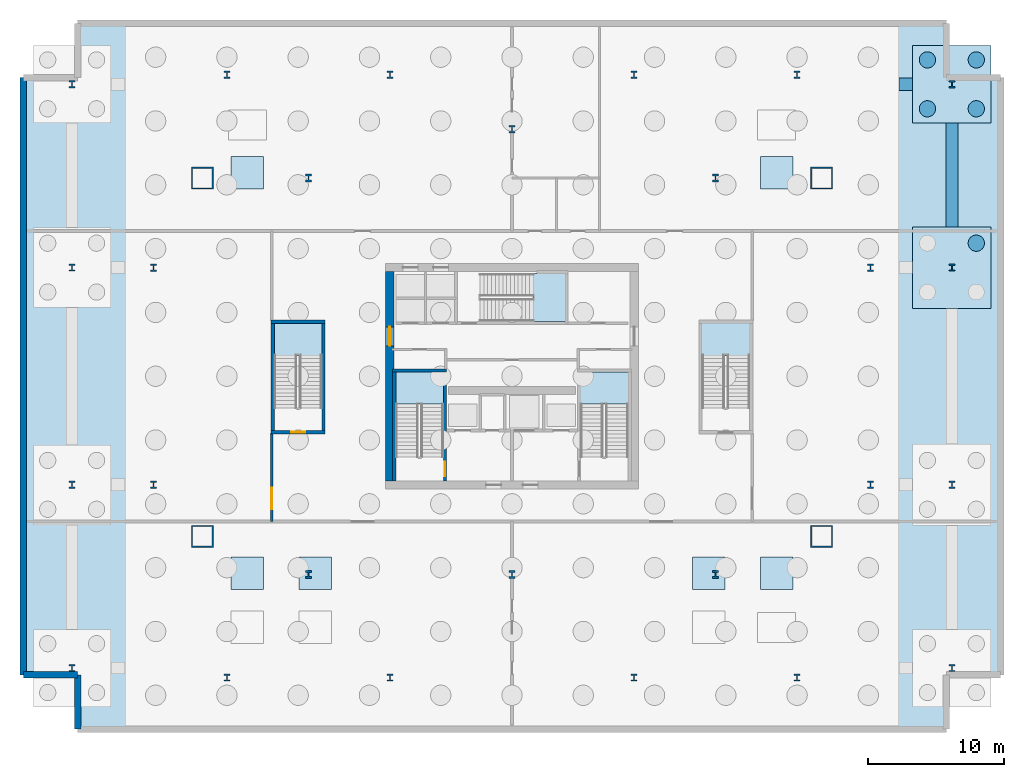
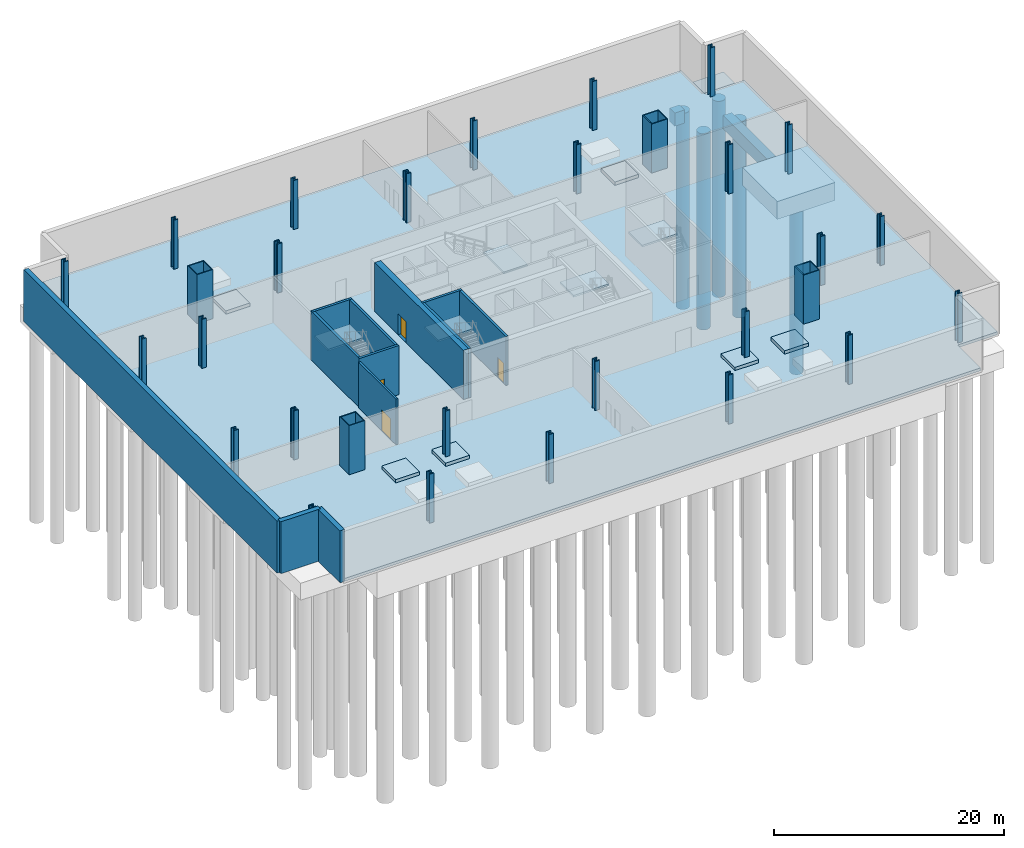
# One storey, part 2 of 8: 30 columns, 12 slabs, 12 walls, 5 piles, 4 doors, 4 footings, 4 openings, 5 elements without a shape of their own.
"""IFC4 building model written with IfcOpenShell, lengths in metres."""

from ifc_helpers import new_model, si_unit, direction, frame, frame_2d, origin, origin_2d, place, context, subcontext, project, spatial, polyline, rectangle, hollow_rectangle, circle, i_section, outline, extrude, material, layer, layer_set, material_profile, profile_set, type_object, element, fill, aggregate, save


model = new_model("IFC4")

# Units and contexts
model_context = context("Model", 3, precision=1e-05, world=origin(), true_north=direction((0.0, 1.0)))
body_context = subcontext(model_context, "Body", "Model", "MODEL_VIEW")
ifc_project = project(units=[si_unit("LENGTHUNIT", "METRE"), si_unit("AREAUNIT", "SQUARE_METRE"), si_unit("VOLUMEUNIT", "CUBIC_METRE"), si_unit("PLANEANGLEUNIT", "RADIAN"), si_unit("MASSUNIT", "GRAM", prefix="KILO")], contexts=[model_context])

# Site, building, storey
site_placement = place(None, origin())
site = spatial("IfcSite", under=ifc_project, at=site_placement, CompositionType="ELEMENT")
building_placement = place(site_placement, origin())
building = spatial("IfcBuilding", under=site, at=building_placement, Name="Haldenkirk Collegiate Tower", CompositionType="ELEMENT")
storey_placement = place(building_placement, frame((0.0, 0.0, -5.199951171875)))
storey = spatial("IfcBuildingStorey", under=building, at=storey_placement, Name="B1", CompositionType="ELEMENT", Elevation=-5.199951171875)

# Footings
ifc_material_1 = material(Name="Concrete f'c 55 MPa", Category="concrete")
ifc_material_profile_1 = material_profile(ifc_material_1, rectangle(XDim=0.89990234375, YDim=1.39990234375, at=origin_2d()), Name="RCGB900X1400")
ifc_profile_set_1 = profile_set([ifc_material_profile_1], Name="Concrete f'c 55 MPa")
footing_type_1 = type_object("IfcFootingType", Name="FTG-GB-900X1400", PredefinedType="FOOTING_BEAM", material=ifc_profile_set_1)
footing_1_placement = place(storey_placement, frame((64.5, 47.5, -1.0), z_axis=(1.0, 0.0, 0.0), x_axis=(0.0, 1.0, 0.0)))
element("IfcFooting", 1, at=footing_1_placement, inside=storey, type_object=footing_type_1, Name="Foundation ground tie beam EW-08", PredefinedType="FOOTING_BEAM", context=body_context, shape_type="SweptSolid", body=[
    extrude(rectangle(XDim=0.89990234375, YDim=1.39990234375, at=origin_2d()), origin(), (0.0, 0.0, 1.0), 1.0),
])
footing_2_placement = place(storey_placement, frame((68.39990234375, 37.0, -1.0), z_axis=(0.0, 1.0, 0.0), x_axis=(-1.0, 0.0, 0.0)))
element("IfcFooting", 2, at=footing_2_placement, inside=storey, type_object=footing_type_1, Name="Foundation ground tie beam NS-14", PredefinedType="FOOTING_BEAM", context=body_context, shape_type="SweptSolid", body=[
    extrude(rectangle(XDim=0.89990234375, YDim=1.39990234375, at=origin_2d()), origin(), (0.0, 0.0, 1.0), 7.64990234375),
])
footing_type_2 = type_object("IfcFootingType", Name="FTG-PC3-5800X5700", PredefinedType="PILE_CAP", material=ifc_material_1)
footing_3_placement = place(storey_placement, frame((0.0, 0.0, -2.150146484375)))
element("IfcFooting", 3, at=footing_3_placement, inside=storey, type_object=footing_type_2, Name="Podium perimeter pile cap PCAP-E4", PredefinedType="PILE_CAP", context=body_context, shape_type="SweptSolid", body=[
    extrude(outline(polyline([(65.5, 44.64990234375), (71.300048828125, 44.64990234375), (71.300048828125, 50.35009765625), (65.5, 50.35009765625), (65.5, 44.64990234375)])), origin(), (0.0, 0.0, 1.0), 1.85009765625),
])
footing_type_3 = type_object("IfcFootingType", Name="FTG-PC4-5800X6000", PredefinedType="PILE_CAP", material=ifc_material_1)
footing_4_placement = place(storey_placement, frame((0.0, 0.0, -2.199951171875)))
element("IfcFooting", 4, at=footing_4_placement, inside=storey, type_object=footing_type_3, Name="Podium perimeter pile cap PCAP-E3", PredefinedType="PILE_CAP", context=body_context, shape_type="SweptSolid", body=[
    extrude(outline(polyline([(65.5, 31.0), (71.300048828125, 31.0), (71.300048828125, 37.0), (65.5, 37.0), (65.5, 31.0)])), origin(), (0.0, 0.0, 1.0), 1.89990234375),
])

# Piles
ifc_material_profile_2 = material_profile(ifc_material_1, circle(Radius=0.60009765625, at=origin_2d()), Name="PILE1200")
ifc_profile_set_2 = profile_set([ifc_material_profile_2], Name="Concrete f'c 55 MPa")
pile_type = type_object("IfcPileType", Name="PILE-BORED-1200", PredefinedType="BORED", material=ifc_profile_set_2)
pile_placement = place(storey_placement, frame((70.199951171875, 35.800048828125, -2.050048828125), z_axis=(0.0, 0.0, -1.0), x_axis=(1.0, 0.0, 0.0)))
element("IfcPile", 5, at=pile_placement, inside=storey, type_object=pile_type, Name="Podium cap bored pile 028", PredefinedType="BORED", context=body_context, shape_type="SweptSolid", body=[
    extrude(circle(Radius=0.60009765625, at=origin_2d()), origin(), (0.0, 0.0, 1.0), 20.75),
])
for number, where, z_axis, x_axis, name in (
    (6, (66.60009765625, 45.699951171875, -2.0), (0.0, 0.0, -1.0), (1.0, 0.0, 0.0), "Podium cap bored pile 029"),
    (7, (66.60009765625, 49.300048828125, -2.0), (0.0, 0.0, -1.0), (1.0, 0.0, 0.0), "Podium cap bored pile 030"),
    (8, (70.199951171875, 45.699951171875, -2.0), (0.0, 0.0, -1.0), (1.0, 0.0, 0.0), "Podium cap bored pile 031"),
    (9, (70.199951171875, 49.300048828125, -2.0), (0.0, 0.0, -1.0), (1.0, 0.0, 0.0), "Podium cap bored pile 032"),
):
    element("IfcPile", number, at=place(storey_placement, frame(where, z_axis=z_axis, x_axis=x_axis)), inside=storey, type_object=pile_type, Name=name, PredefinedType="BORED", context=body_context, shape_type="SweptSolid", body=[
        extrude(circle(Radius=0.60009765625, at=origin_2d()), origin(), (0.0, 0.0, 1.0), 20.800048828125),
    ])

# Columns
ifc_material_2 = material(Name="Steel ASTM A913 Grade 65", Category="steel")
ifc_material_profile_3 = material_profile(ifc_material_2, i_section(OverallWidth=0.44189453125, OverallDepth=0.531005859375, WebThickness=0.06591796875, FlangeThickness=0.105712890625, at=origin_2d()), Name="W14X605")
ifc_profile_set_3 = profile_set([ifc_material_profile_3], Name="Steel ASTM A913 Grade 65")
column_type_1 = type_object("IfcColumnType", Name="COL-INT-W14X605", PredefinedType="COLUMN", material=ifc_profile_set_3)
for number, where, z_axis, x_axis, name in (
    (10, (3.60009765625, 18.0, -0.300048828125), (0.0, 0.0, 1.0), (1.0, 0.0, 0.0), "B1 podium perimeter pilaster POC-W1"),
    (11, (3.60009765625, 34.0, -0.300048828125), (0.0, 0.0, 1.0), (1.0, 0.0, 0.0), "B1 podium perimeter pilaster POC-W2"),
    (12, (3.60009765625, 4.5, -0.300048828125), (0.0, 0.0, 1.0), (1.0, 0.0, 0.0), "B1 podium perimeter pilaster POC-W3"),
    (13, (3.60009765625, 47.5, -0.300048828125), (0.0, 0.0, 1.0), (1.0, 0.0, 0.0), "B1 podium perimeter pilaster POC-W4"),
    (14, (68.39990234375, 18.0, -0.300048828125), (0.0, 0.0, 1.0), (1.0, 0.0, 0.0), "B1 podium perimeter pilaster POC-E1"),
    (15, (68.39990234375, 34.0, -0.300048828125), (0.0, 0.0, 1.0), (1.0, 0.0, 0.0), "B1 podium perimeter pilaster POC-E2"),
    (16, (68.39990234375, 4.5, -0.300048828125), (0.0, 0.0, 1.0), (1.0, 0.0, 0.0), "B1 podium perimeter pilaster POC-E3"),
    (17, (68.39990234375, 47.5, -0.300048828125), (0.0, 0.0, 1.0), (1.0, 0.0, 0.0), "B1 podium perimeter pilaster POC-E4"),
    (18, (15.0, 3.800048828125, -0.300048828125), (0.0, 0.0, 1.0), (1.0, 0.0, 0.0), "B1 podium perimeter pilaster POC-S1"),
    (19, (27.0, 3.800048828125, -0.300048828125), (0.0, 0.0, 1.0), (1.0, 0.0, 0.0), "B1 podium perimeter pilaster POC-S2"),
    (20, (45.0, 3.800048828125, -0.300048828125), (0.0, 0.0, 1.0), (1.0, 0.0, 0.0), "B1 podium perimeter pilaster POC-S3"),
    (21, (57.0, 3.800048828125, -0.300048828125), (0.0, 0.0, 1.0), (1.0, 0.0, 0.0), "B1 podium perimeter pilaster POC-S4"),
    (22, (57.0, 48.199951171875, -0.300048828125), (0.0, 0.0, 1.0), (1.0, 0.0, 0.0), "B1 podium perimeter pilaster POC-N1"),
    (23, (45.0, 48.199951171875, -0.300048828125), (0.0, 0.0, 1.0), (1.0, 0.0, 0.0), "B1 podium perimeter pilaster POC-N2"),
    (24, (27.0, 48.199951171875, -0.300048828125), (0.0, 0.0, 1.0), (1.0, 0.0, 0.0), "B1 podium perimeter pilaster POC-N3"),
    (25, (15.0, 48.199951171875, -0.300048828125), (0.0, 0.0, 1.0), (1.0, 0.0, 0.0), "B1 podium perimeter pilaster POC-N4"),
):
    element("IfcColumn", number, at=place(storey_placement, frame(where, z_axis=z_axis, x_axis=x_axis)), inside=storey, type_object=column_type_1, Name=name, PredefinedType="COLUMN", context=body_context, shape_type="SweptSolid", body=[
        extrude(i_section(OverallWidth=0.44189453125, OverallDepth=0.531005859375, WebThickness=0.06591796875, FlangeThickness=0.105712890625, at=origin_2d()), origin(), (0.0, 0.0, 1.0), 5.5),
    ])
ifc_material_profile_4 = material_profile(ifc_material_2, i_section(OverallWidth=0.4541015625, OverallDepth=0.569091796875, WebThickness=0.077880859375, FlangeThickness=0.124755859375, at=origin_2d()), Name="W14X730")
ifc_profile_set_4 = profile_set([ifc_material_profile_4], Name="Steel ASTM A913 Grade 65")
column_type_2 = type_object("IfcColumnType", Name="COL-INT-W14X730", PredefinedType="COLUMN", material=ifc_profile_set_4)
for number, where, z_axis, x_axis, name in (
    (26, (9.60009765625, 18.0, -0.300048828125), (0.0, 0.0, 1.0), (1.0, 0.0, 0.0), "B1 podium transfer support column PPC-W1"),
    (27, (9.60009765625, 34.0, -0.300048828125), (0.0, 0.0, 1.0), (1.0, 0.0, 0.0), "B1 podium transfer support column PPC-W2"),
    (28, (62.39990234375, 18.0, -0.300048828125), (0.0, 0.0, 1.0), (1.0, 0.0, 0.0), "B1 podium transfer support column PPC-E1"),
    (29, (62.39990234375, 34.0, -0.300048828125), (0.0, 0.0, 1.0), (1.0, 0.0, 0.0), "B1 podium transfer support column PPC-E2"),
    (30, (21.0, 11.39990234375, -0.300048828125), (0.0, 0.0, 1.0), (1.0, 0.0, 0.0), "B1 podium transfer support column PPC-S1"),
    (31, (51.0, 11.39990234375, -0.300048828125), (0.0, 0.0, 1.0), (1.0, 0.0, 0.0), "B1 podium transfer support column PPC-S2"),
    (32, (21.0, 40.60009765625, -0.300048828125), (0.0, 0.0, 1.0), (1.0, 0.0, 0.0), "B1 podium transfer support column PPC-N1"),
    (33, (51.0, 40.60009765625, -0.300048828125), (0.0, 0.0, 1.0), (1.0, 0.0, 0.0), "B1 podium transfer support column PPC-N2"),
    (34, (36.0, 44.199951171875, -0.300048828125), (0.0, 0.0, 1.0), (1.0, 0.0, 0.0), "B1 podium transfer support column PPC-N3"),
    (35, (36.0, 11.39990234375, -0.300048828125), (0.0, 0.0, 1.0), (1.0, 0.0, 0.0), "B1 podium transfer support column PPC-S3"),
):
    element("IfcColumn", number, at=place(storey_placement, frame(where, z_axis=z_axis, x_axis=x_axis)), inside=storey, type_object=column_type_2, Name=name, PredefinedType="COLUMN", context=body_context, shape_type="SweptSolid", body=[
        extrude(i_section(OverallWidth=0.4541015625, OverallDepth=0.569091796875, WebThickness=0.077880859375, FlangeThickness=0.124755859375, at=origin_2d()), origin(), (0.0, 0.0, 1.0), 5.5),
    ])
ifc_material_3 = material(Name="Steel ASTM A572 Grade 50", Category="steel")
ifc_material_profile_5 = material_profile(ifc_material_3, hollow_rectangle(XDim=1.60009765625, YDim=1.60009765625, WallThickness=0.080078125, at=origin_2d()), Name="BOX1600X1600X80")
ifc_profile_set_5 = profile_set([ifc_material_profile_5], Name="Steel ASTM A572 Grade 50")
column_type_3 = type_object("IfcColumnType", Name="COL-PODMEGA-BOX1600", PredefinedType="COLUMN", material=ifc_profile_set_5)
for number, where, z_axis, x_axis, name in (
    (36, (13.199951171875, 14.199951171875, -0.300048828125), (0.0, 0.0, 1.0), (1.0, 0.0, 0.0), "B1 podium mega-column PMC-SW"),
    (37, (58.800048828125, 14.199951171875, -0.300048828125), (0.0, 0.0, 1.0), (1.0, 0.0, 0.0), "B1 podium mega-column PMC-SE"),
    (38, (58.800048828125, 40.60009765625, -0.300048828125), (0.0, 0.0, 1.0), (1.0, 0.0, 0.0), "B1 podium mega-column PMC-NE"),
    (39, (13.199951171875, 40.60009765625, -0.300048828125), (0.0, 0.0, 1.0), (1.0, 0.0, 0.0), "B1 podium mega-column PMC-NW"),
):
    element("IfcColumn", number, at=place(storey_placement, frame(where, z_axis=z_axis, x_axis=x_axis)), inside=storey, type_object=column_type_3, Name=name, PredefinedType="COLUMN", context=body_context, shape_type="SweptSolid", body=[
        extrude(hollow_rectangle(XDim=1.60009765625, YDim=1.60009765625, WallThickness=0.080078125, at=origin_2d()), origin(), (0.0, 0.0, 1.0), 5.5),
    ])

# Slab
ifc_material_4 = material(Name="Concrete f'c 40 MPa", Category="concrete")
ifc_layer_1 = layer(ifc_material_4, 0.300048828125)
ifc_layer_set_1 = layer_set([ifc_layer_1], Name="Concrete f'c 40 MPa")
slab_type_1 = type_object("IfcSlabType", Name="SLB-BASE-300", PredefinedType="BASESLAB", material=ifc_layer_set_1)
slab_1_placement = place(storey_placement, frame((0.0, 0.0, -0.300048828125)))
element("IfcSlab", 40, at=slab_1_placement, inside=storey, type_object=slab_type_1, Name="B1 basement structural base slab", PredefinedType="BASESLAB", context=body_context, shape_type="SweptSolid", body=[
    extrude(outline(polyline([(4.0, 0.0), (68.0, 0.0), (68.0, 4.0), (72.0, 4.0), (72.0, 48.0), (68.0, 48.0), (68.0, 52.0), (4.0, 52.0), (4.0, 48.0), (0.0, 48.0), (0.0, 4.0), (4.0, 4.0), (4.0, 0.0)])), origin(), (0.0, 0.0, 1.0), 0.300048828125),
])

# Stair, slab
stair_type = type_object("IfcStairType", Name="STR-DOGLEG-1650", PredefinedType="HALF_TURN_STAIR", material=ifc_material_4)
stair_1_placement = place(storey_placement, origin())
stair_1 = element("IfcStair", 41, at=stair_1_placement, inside=storey, type_object=stair_type, Name="B1 Core Exit Stair ST-1", PredefinedType="HALF_TURN_STAIR")
ifc_layer_2 = layer(ifc_material_4, 0.199951171875)
ifc_layer_set_2 = layer_set([ifc_layer_2], Name="Concrete f'c 40 MPa")
slab_type_2 = type_object("IfcSlabType", Name="SLB-LANDING-200", PredefinedType="LANDING", material=ifc_layer_set_2)
slab_2_placement = place(storey_placement, frame((0.0, 0.0, 2.39990234375)))
slab_2 = element("IfcSlab", 42, at=slab_2_placement, type_object=slab_type_2, Name="ST-1 landing 1", PredefinedType="LANDING", context=body_context, shape_type="SweptSolid", body=[
    extrude(outline(polyline([(30.97509765625, 23.945068359375), (27.425048828125, 23.945068359375), (27.425048828125, 26.324951171875), (30.97509765625, 26.324951171875), (30.97509765625, 23.945068359375)])), origin(), (0.0, 0.0, 1.0), 0.199951171875),
])
aggregate(stair_1, [slab_2])

stair_2_placement = place(storey_placement, origin())
stair_2 = element("IfcStair", 43, at=stair_2_placement, inside=storey, type_object=stair_type, Name="B1 Core Exit Stair ST-2", PredefinedType="HALF_TURN_STAIR")
slab_3_placement = place(storey_placement, frame((0.0, 0.0, 2.39990234375)))
slab_3 = element("IfcSlab", 44, at=slab_3_placement, type_object=slab_type_2, Name="ST-2 landing 1", PredefinedType="LANDING", context=body_context, shape_type="SweptSolid", body=[
    extrude(outline(polyline([(44.574951171875, 23.945068359375), (41.02490234375, 23.945068359375), (41.02490234375, 26.324951171875), (44.574951171875, 26.324951171875), (44.574951171875, 23.945068359375)])), origin(), (0.0, 0.0, 1.0), 0.199951171875),
])
aggregate(stair_2, [slab_3])

stair_3_placement = place(storey_placement, origin())
stair_3 = element("IfcStair", 45, at=stair_3_placement, inside=storey, type_object=stair_type, Name="B1 Core Exit Stair ST-3", PredefinedType="HALF_TURN_STAIR")
slab_4_placement = place(storey_placement, frame((0.0, 0.0, 2.39990234375)))
slab_4 = element("IfcSlab", 46, at=slab_4_placement, type_object=slab_type_2, Name="ST-3 landing 1", PredefinedType="LANDING", context=body_context, shape_type="SweptSolid", body=[
    extrude(outline(polyline([(37.544921875, 30.02490234375), (37.544921875, 33.574951171875), (39.925048828125, 33.574951171875), (39.925048828125, 30.02490234375), (37.544921875, 30.02490234375)])), origin(), (0.0, 0.0, 1.0), 0.199951171875),
])
aggregate(stair_3, [slab_4])

stair_4_placement = place(storey_placement, origin())
stair_4 = element("IfcStair", 47, at=stair_4_placement, inside=storey, type_object=stair_type, Name="B1 Podium Exit Stair ST-4", PredefinedType="HALF_TURN_STAIR")
slab_5_placement = place(storey_placement, frame((0.0, 0.0, 2.39990234375)))
slab_5 = element("IfcSlab", 48, at=slab_5_placement, type_object=slab_type_2, Name="ST-4 landing 1", PredefinedType="LANDING", context=body_context, shape_type="SweptSolid", body=[
    extrude(outline(polyline([(22.02490234375, 27.544921875), (18.47509765625, 27.544921875), (18.47509765625, 29.925048828125), (22.02490234375, 29.925048828125), (22.02490234375, 27.544921875)])), origin(), (0.0, 0.0, 1.0), 0.199951171875),
])
aggregate(stair_4, [slab_5])

stair_5_placement = place(storey_placement, origin())
stair_5 = element("IfcStair", 49, at=stair_5_placement, inside=storey, type_object=stair_type, Name="B1 Podium Exit Stair ST-5", PredefinedType="HALF_TURN_STAIR")
slab_6_placement = place(storey_placement, frame((0.0, 0.0, 2.39990234375)))
slab_6 = element("IfcSlab", 50, at=slab_6_placement, type_object=slab_type_2, Name="ST-5 landing 1", PredefinedType="LANDING", context=body_context, shape_type="SweptSolid", body=[
    extrude(outline(polyline([(53.52490234375, 27.544921875), (49.97509765625, 27.544921875), (49.97509765625, 29.925048828125), (53.52490234375, 29.925048828125), (53.52490234375, 27.544921875)])), origin(), (0.0, 0.0, 1.0), 0.199951171875),
])
aggregate(stair_5, [slab_6])

# Slabs
ifc_layer_3 = layer(ifc_material_1, 0.35009765625)
ifc_layer_set_3 = layer_set([ifc_layer_3], Name="Concrete f'c 55 MPa")
slab_type_3 = type_object("IfcSlabType", Name="SLB-PIT-350", PredefinedType="BASESLAB", material=ifc_layer_set_3)
slab_7_placement = place(storey_placement, origin())
element("IfcSlab", 51, at=slab_7_placement, inside=storey, type_object=slab_type_3, Name="B1 grounded plant base slab 01", PredefinedType="BASESLAB", context=body_context, shape_type="SweptSolid", body=[
    extrude(outline(polyline([(15.300048828125, 10.300048828125), (17.699951171875, 10.300048828125), (17.699951171875, 12.699951171875), (15.300048828125, 12.699951171875), (15.300048828125, 10.300048828125)])), origin(), (0.0, 0.0, 1.0), 0.349853515625),
])
slab_8_placement = place(storey_placement, origin())
element("IfcSlab", 52, at=slab_8_placement, inside=storey, type_object=slab_type_3, Name="B1 grounded plant base slab 02", PredefinedType="BASESLAB", context=body_context, shape_type="SweptSolid", body=[
    extrude(outline(polyline([(20.300048828125, 10.300048828125), (22.699951171875, 10.300048828125), (22.699951171875, 12.699951171875), (20.300048828125, 12.699951171875), (20.300048828125, 10.300048828125)])), origin(), (0.0, 0.0, 1.0), 0.349853515625),
])
slab_9_placement = place(storey_placement, origin())
element("IfcSlab", 53, at=slab_9_placement, inside=storey, type_object=slab_type_3, Name="B1 grounded plant base slab 03", PredefinedType="BASESLAB", context=body_context, shape_type="SweptSolid", body=[
    extrude(outline(polyline([(49.300048828125, 10.300048828125), (51.699951171875, 10.300048828125), (51.699951171875, 12.699951171875), (49.300048828125, 12.699951171875), (49.300048828125, 10.300048828125)])), origin(), (0.0, 0.0, 1.0), 0.349853515625),
])
slab_10_placement = place(storey_placement, origin())
element("IfcSlab", 54, at=slab_10_placement, inside=storey, type_object=slab_type_3, Name="B1 grounded plant base slab 04", PredefinedType="BASESLAB", context=body_context, shape_type="SweptSolid", body=[
    extrude(outline(polyline([(54.300048828125, 10.300048828125), (56.699951171875, 10.300048828125), (56.699951171875, 12.699951171875), (54.300048828125, 12.699951171875), (54.300048828125, 10.300048828125)])), origin(), (0.0, 0.0, 1.0), 0.349853515625),
])
slab_11_placement = place(storey_placement, origin())
element("IfcSlab", 55, at=slab_11_placement, inside=storey, type_object=slab_type_3, Name="B1 grounded plant base slab 05", PredefinedType="BASESLAB", context=body_context, shape_type="SweptSolid", body=[
    extrude(outline(polyline([(15.300048828125, 39.800048828125), (17.699951171875, 39.800048828125), (17.699951171875, 42.199951171875), (15.300048828125, 42.199951171875), (15.300048828125, 39.800048828125)])), origin(), (0.0, 0.0, 1.0), 0.349853515625),
])
slab_12_placement = place(storey_placement, origin())
element("IfcSlab", 56, at=slab_12_placement, inside=storey, type_object=slab_type_3, Name="B1 grounded plant base slab 06", PredefinedType="BASESLAB", context=body_context, shape_type="SweptSolid", body=[
    extrude(outline(polyline([(54.300048828125, 39.800048828125), (56.699951171875, 39.800048828125), (56.699951171875, 42.199951171875), (54.300048828125, 42.199951171875), (54.300048828125, 39.800048828125)])), origin(), (0.0, 0.0, 1.0), 0.349853515625),
])

# Walls
ifc_layer_4 = layer(ifc_material_1, 0.47998046875)
ifc_layer_set_4 = layer_set([ifc_layer_4], Name="Concrete f'c 55 MPa")
wall_type_1 = type_object("IfcWallType", Name="WL-B1-RET-480", PredefinedType="SHEAR", material=ifc_layer_set_4)
wall_1_placement = place(storey_placement, frame((0.0, 48.0, -0.300048828125), z_axis=(0.0, 0.0, 1.0), x_axis=(0.0, -1.0, 0.0)))
element("IfcWall", 57, at=wall_1_placement, inside=storey, type_object=wall_type_1, Name="B1 perimeter retaining wall 10", PredefinedType="SHEAR", context=body_context, shape_type="SweptSolid", body=[
    extrude(rectangle(XDim=44.0, YDim=0.47998046875, at=frame_2d((22.0, 0.0))), origin(), (0.0, 0.0, 1.0), 5.5),
])
for number, where, z_axis, x_axis, name in (
    (58, (0.0, 4.0, -0.300048828125), (0.0, 0.0, 1.0), (1.0, 0.0, 0.0), "B1 perimeter retaining wall 11"),
    (59, (4.0, 4.0, -0.300048828125), (0.0, 0.0, 1.0), (0.0, -1.0, 0.0), "B1 perimeter retaining wall 12"),
):
    element("IfcWall", number, at=place(storey_placement, frame(where, z_axis=z_axis, x_axis=x_axis)), inside=storey, type_object=wall_type_1, Name=name, PredefinedType="SHEAR", context=body_context, shape_type="SweptSolid", body=[
        extrude(rectangle(XDim=4.0, YDim=0.47998046875, at=frame_2d((2.0, 0.0))), origin(), (0.0, 0.0, 1.0), 5.5),
    ])

# Wall, opening, door
ifc_material_5 = material(Name="Concrete f'c 70 MPa", Category="concrete")
ifc_layer_5 = layer(ifc_material_5, 0.60009765625)
ifc_layer_set_5 = layer_set([ifc_layer_5], Name="Concrete f'c 70 MPa")
wall_type_2 = type_object("IfcWallType", Name="WL-CORE-600", PredefinedType="SHEAR", material=ifc_layer_set_5)
wall_2_placement = place(storey_placement, frame((27.0, 18.300048828125, -0.300048828125), z_axis=(0.0, 0.0, 1.0), x_axis=(0.0, 1.0, 0.0)))
wall_2 = element("IfcWall", 60, at=wall_2_placement, inside=storey, type_object=wall_type_2, Name="B1 central core shear wall W", PredefinedType="SHEAR", context=body_context, shape_type="SweptSolid", body=[
    extrude(rectangle(XDim=15.39990234375, YDim=0.60009765625, at=frame_2d((7.699951171875, 0.0))), origin(), (0.0, 0.0, 1.0), 5.5),
])
opening_1_placement = place(wall_2_placement, frame((9.93994140625, 0.0, 0.300048828125)))
opening_1 = element("IfcOpeningElement", 61, at=opening_1_placement, cuts=wall_2, Name="Opening D-03", PredefinedType="OPENING", context=body_context, shape_type="SweptSolid", body=[
    extrude(rectangle(XDim=1.39990234375, YDim=2.199951171875, at=frame_2d((0.699951171875, 1.10009765625))), frame((0.0, 0.31005859375, 0.0), z_axis=(0.0, -1.0, 0.0), x_axis=(1.0, 0.0, 0.0)), (0.0, 0.0, 1.0), 0.6201171875),
])
ifc_material_6 = material(Name="Galvanized fire-rated hollow steel door", Category="steel")
ifc_layer_6 = layer(ifc_material_6, 0.06005859375)
ifc_layer_set_6 = layer_set([ifc_layer_6], Name="Galvanized fire-rated hollow steel door")
door_type_1 = type_object("IfcDoorType", Name="DR-LOBBY-FD90-1400", OperationType="NOTDEFINED", PredefinedType="DOOR", material=ifc_layer_set_6)
door_1_placement = place(opening_1_placement, origin())
door_1 = element("IfcDoor", 62, at=door_1_placement, inside=storey, type_object=door_type_1, Name="B1 west lift lobby portal", OperationType="DOUBLE_DOOR_SINGLE_SWING", OverallHeight=2.199951171875, OverallWidth=1.39990234375, PredefinedType="DOOR", context=body_context, shape_type="SweptSolid", body=[
    extrude(rectangle(XDim=1.39990234375, YDim=2.199951171875, at=frame_2d((0.699951171875, 1.10009765625))), frame((0.0, 0.02490234375, 0.0), z_axis=(0.0, -1.0, 0.0), x_axis=(1.0, 0.0, 0.0)), (0.0, 0.0, 1.0), 0.050048828125),
])
fill(opening_1, door_1)

ifc_material_7 = material(Name="Fire-rated gypsum shaftboard assembly", Category="concrete")
ifc_layer_7 = layer(ifc_material_7, 0.199951171875)
ifc_layer_set_7 = layer_set([ifc_layer_7], Name="Fire-rated gypsum shaftboard assembly")
wall_type_3 = type_object("IfcWallType", Name="WL-INT-SHAFT-200", PredefinedType="PARTITIONING", material=ifc_layer_set_7)
wall_3_placement = place(storey_placement, frame((18.300048828125, 15.300048828125, 0.0), z_axis=(0.0, 0.0, 1.0), x_axis=(0.0, 1.0, 0.0)))
wall_3 = element("IfcWall", 63, at=wall_3_placement, inside=storey, type_object=wall_type_3, Name="B1 interior partition IW-B1-CW", PredefinedType="PARTITIONING", context=body_context, shape_type="SweptSolid", body=[
    extrude(rectangle(XDim=6.52001953125, YDim=0.199951171875, at=frame_2d((3.260009765625, 0.0))), origin(), (0.0, 0.0, 1.0), 4.83984375),
])
opening_2_placement = place(wall_3_placement, frame((0.89990234375, 0.0, 0.0)))
opening_2 = element("IfcOpeningElement", 64, at=opening_2_placement, cuts=wall_3, Name="Opening D-04", PredefinedType="OPENING", context=body_context, shape_type="SweptSolid", body=[
    extrude(rectangle(XDim=1.60009765625, YDim=2.199951171875, at=frame_2d((0.800048828125, 1.10009765625))), frame((0.0, 0.10986328125, 0.0), z_axis=(0.0, -1.0, 0.0), x_axis=(1.0, 0.0, 0.0)), (0.0, 0.0, 1.0), 0.219970703125),
])
ifc_layer_8 = layer(ifc_material_6, 0.06005859375)
ifc_layer_set_8 = layer_set([ifc_layer_8], Name="Galvanized fire-rated hollow steel door")
door_type_2 = type_object("IfcDoorType", Name="DR-DBL-FD90-1600", OperationType="NOTDEFINED", PredefinedType="DOOR", material=ifc_layer_set_8)
door_2_placement = place(opening_2_placement, origin())
door_2 = element("IfcDoor", 65, at=door_2_placement, inside=storey, type_object=door_type_2, Name="B1 fan plant door", OperationType="DOUBLE_DOOR_SINGLE_SWING", OverallHeight=2.199951171875, OverallWidth=1.60009765625, PredefinedType="DOOR", context=body_context, shape_type="SweptSolid", body=[
    extrude(rectangle(XDim=1.60009765625, YDim=2.199951171875, at=frame_2d((0.800048828125, 1.10009765625))), frame((0.0, 0.02490234375, 0.0), z_axis=(0.0, -1.0, 0.0), x_axis=(1.0, 0.0, 0.0)), (0.0, 0.0, 1.0), 0.050048828125),
])
fill(opening_2, door_2)

ifc_layer_9 = layer(ifc_material_1, 0.239990234375)
ifc_layer_set_9 = layer_set([ifc_layer_9], Name="Concrete f'c 55 MPa")
wall_type_4 = type_object("IfcWallType", Name="WL-SHAFT-240", PredefinedType="SHEAR", material=ifc_layer_set_9)
wall_4_placement = place(storey_placement, frame((31.070068359375, 18.280029296875, -0.300048828125), z_axis=(0.0, 0.0, 1.0), x_axis=(0.0, 1.0, 0.0)))
wall_4 = element("IfcWall", 66, at=wall_4_placement, inside=storey, type_object=wall_type_4, Name="B1 stair shaft shear wall SW-B1-ST1E", PredefinedType="SHEAR", context=body_context, shape_type="SweptSolid", body=[
    extrude(rectangle(XDim=8.260009765625, YDim=0.239990234375, at=frame_2d((4.1298828125, 0.0))), origin(), (0.0, 0.0, 1.0), 5.5),
])
opening_3_placement = place(wall_4_placement, frame((0.364990234375, 0.0, 0.300048828125)))
opening_3 = element("IfcOpeningElement", 67, at=opening_3_placement, cuts=wall_4, Name="Opening D-01", PredefinedType="OPENING", context=body_context, shape_type="SweptSolid", body=[
    extrude(rectangle(XDim=1.050048828125, YDim=2.14990234375, at=frame_2d((0.52490234375, 1.074951171875))), frame((0.0, 0.1298828125, 0.0), z_axis=(0.0, -1.0, 0.0), x_axis=(1.0, 0.0, 0.0)), (0.0, 0.0, 1.0), 0.260009765625),
])
ifc_layer_10 = layer(ifc_material_6, 0.06005859375)
ifc_layer_set_10 = layer_set([ifc_layer_10], Name="Galvanized fire-rated hollow steel door")
door_type_3 = type_object("IfcDoorType", Name="DR-STAIR-FD90-1050", OperationType="NOTDEFINED", PredefinedType="DOOR", material=ifc_layer_set_10)
door_3_placement = place(opening_3_placement, origin())
door_3 = element("IfcDoor", 68, at=door_3_placement, inside=storey, type_object=door_type_3, Name="B1 Stair 1 door", OperationType="SINGLE_SWING_LEFT", OverallHeight=2.14990234375, OverallWidth=1.050048828125, PredefinedType="DOOR", context=body_context, shape_type="SweptSolid", body=[
    extrude(rectangle(XDim=1.050048828125, YDim=2.14990234375, at=frame_2d((0.52490234375, 1.074951171875))), frame((0.0, 0.02490234375, 0.0), z_axis=(0.0, -1.0, 0.0), x_axis=(1.0, 0.0, 0.0)), (0.0, 0.0, 1.0), 0.050048828125),
])
fill(opening_3, door_3)

# Walls
wall_5_placement = place(storey_placement, frame((27.2099609375, 26.419921875, -0.300048828125), z_axis=(0.0, 0.0, 1.0), x_axis=(1.0, 0.0, 0.0)))
element("IfcWall", 69, at=wall_5_placement, inside=storey, type_object=wall_type_4, Name="B1 stair shaft shear wall SW-B1-ST1N", PredefinedType="SHEAR", context=body_context, shape_type="SweptSolid", body=[
    extrude(rectangle(XDim=3.97998046875, YDim=0.239990234375, at=frame_2d((1.989990234375, 0.0))), origin(), (0.0, 0.0, 1.0), 5.5),
])
wall_6_placement = place(storey_placement, frame((27.330078125, 18.280029296875, -0.300048828125), z_axis=(0.0, 0.0, 1.0), x_axis=(0.0, 1.0, 0.0)))
element("IfcWall", 70, at=wall_6_placement, inside=storey, type_object=wall_type_4, Name="B1 stair shaft shear wall SW-B1-ST1W", PredefinedType="SHEAR", context=body_context, shape_type="SweptSolid", body=[
    extrude(rectangle(XDim=8.260009765625, YDim=0.239990234375, at=frame_2d((4.1298828125, 0.0))), origin(), (0.0, 0.0, 1.0), 5.5),
])
for number, where, z_axis, x_axis, name in (
    (71, (18.3798828125, 21.760009765625, -0.300048828125), (0.0, 0.0, 1.0), (0.0, 1.0, 0.0), "B1 stair shaft shear wall SW-B1-ST4W"),
    (72, (22.1201171875, 21.760009765625, -0.300048828125), (0.0, 0.0, 1.0), (0.0, 1.0, 0.0), "B1 stair shaft shear wall SW-B1-ST4E"),
):
    element("IfcWall", number, at=place(storey_placement, frame(where, z_axis=z_axis, x_axis=x_axis)), inside=storey, type_object=wall_type_4, Name=name, PredefinedType="SHEAR", context=body_context, shape_type="SweptSolid", body=[
        extrude(rectangle(XDim=8.3798828125, YDim=0.239990234375, at=frame_2d((4.18994140625, 0.0))), origin(), (0.0, 0.0, 1.0), 5.5),
    ])

# Wall, opening, door
wall_7_placement = place(storey_placement, frame((18.260009765625, 21.8798828125, -0.300048828125), z_axis=(0.0, 0.0, 1.0), x_axis=(1.0, 0.0, 0.0)))
wall_7 = element("IfcWall", 73, at=wall_7_placement, inside=storey, type_object=wall_type_4, Name="B1 stair shaft shear wall SW-B1-ST4S", PredefinedType="SHEAR", context=body_context, shape_type="SweptSolid", body=[
    extrude(rectangle(XDim=3.97998046875, YDim=0.239990234375, at=frame_2d((1.989990234375, 0.0))), origin(), (0.0, 0.0, 1.0), 5.5),
])
opening_4_placement = place(wall_7_placement, frame((1.465087890625, 0.0, 0.300048828125)))
opening_4 = element("IfcOpeningElement", 74, at=opening_4_placement, cuts=wall_7, Name="Opening D-01", PredefinedType="OPENING", context=body_context, shape_type="SweptSolid", body=[
    extrude(rectangle(XDim=1.050048828125, YDim=2.14990234375, at=frame_2d((0.52490234375, 1.074951171875))), frame((0.0, 0.1298828125, 0.0), z_axis=(0.0, -1.0, 0.0), x_axis=(1.0, 0.0, 0.0)), (0.0, 0.0, 1.0), 0.260009765625),
])
door_4_placement = place(opening_4_placement, origin())
door_4 = element("IfcDoor", 75, at=door_4_placement, inside=storey, type_object=door_type_3, Name="B1 Stair 4 door", OperationType="SINGLE_SWING_LEFT", OverallHeight=2.14990234375, OverallWidth=1.050048828125, PredefinedType="DOOR", context=body_context, shape_type="SweptSolid", body=[
    extrude(rectangle(XDim=1.050048828125, YDim=2.14990234375, at=frame_2d((0.52490234375, 1.074951171875))), frame((0.0, 0.02490234375, 0.0), z_axis=(0.0, -1.0, 0.0), x_axis=(1.0, 0.0, 0.0)), (0.0, 0.0, 1.0), 0.050048828125),
])
fill(opening_4, door_4)

# Wall
wall_8_placement = place(storey_placement, frame((18.260009765625, 30.02001953125, -0.300048828125), z_axis=(0.0, 0.0, 1.0), x_axis=(1.0, 0.0, 0.0)))
element("IfcWall", 76, at=wall_8_placement, inside=storey, type_object=wall_type_4, Name="B1 stair shaft shear wall SW-B1-ST4N", PredefinedType="SHEAR", context=body_context, shape_type="SweptSolid", body=[
    extrude(rectangle(XDim=3.97998046875, YDim=0.239990234375, at=frame_2d((1.989990234375, 0.0))), origin(), (0.0, 0.0, 1.0), 5.5),
])

save(model, "model.ifc")
